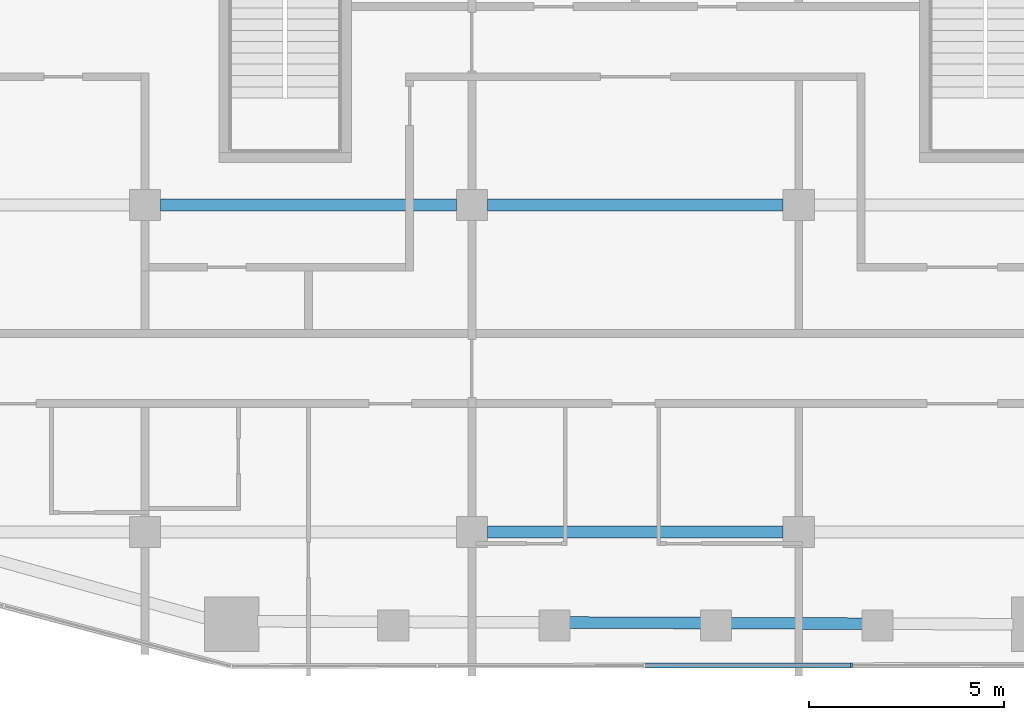
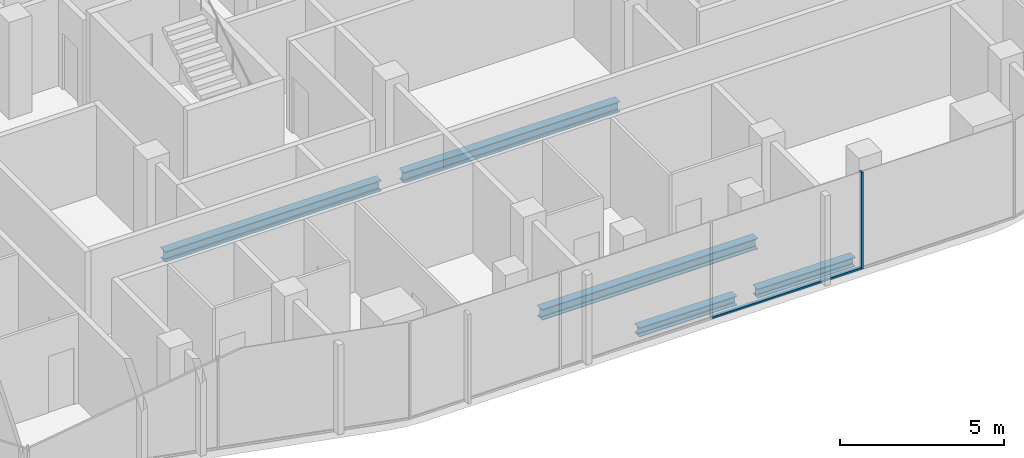
# One storey, part 3 of 21: 5 beams, 2 members, 1 element without a shape of its own.
"""IFC4 building model written with IfcOpenShell, lengths in metres."""

from ifc_helpers import new_model, si_unit, direction, frame, origin, origin_2d, place, context, subcontext, project, spatial, rectangle, i_section, extrude, material, layer, layer_set, material_profile, profile_set, type_object, element, aggregate, save


model = new_model("IFC4")

# Units and contexts
model_context = context("Model", 3, precision=1e-05, world=origin(), true_north=direction((0.0, 1.0)))
body_context = subcontext(model_context, "Body", "Model", "MODEL_VIEW")
ifc_project = project(units=[si_unit("LENGTHUNIT", "METRE"), si_unit("AREAUNIT", "SQUARE_METRE"), si_unit("VOLUMEUNIT", "CUBIC_METRE"), si_unit("PLANEANGLEUNIT", "RADIAN"), si_unit("MASSUNIT", "GRAM", prefix="KILO")], contexts=[model_context])

# Site, building, storey
site_placement = place(None, origin())
site = spatial("IfcSite", under=ifc_project, at=site_placement, CompositionType="ELEMENT")
building_placement = place(site_placement, origin())
building = spatial("IfcBuilding", under=site, at=building_placement, Name="Marenta Gate Hotel Tower", CompositionType="ELEMENT")
storey_placement = place(building_placement, frame((0.0, 0.0, 245.300048828125)))
storey = spatial("IfcBuildingStorey", under=building, at=storey_placement, Name="L58", CompositionType="ELEMENT", Elevation=245.300048828125)

# Beams
ifc_material_1 = material(Name="Steel S355", Category="steel")
ifc_material_profile_1 = material_profile(ifc_material_1, i_section(OverallWidth=0.300048828125, OverallDepth=0.340087890625, WebThickness=0.011962890625, FlangeThickness=0.021484375, FilletRadius=0.027099609375, at=origin_2d()), Name="HEB 340")
ifc_profile_set_1 = profile_set([ifc_material_profile_1], Name="Steel S355")
beam_type_1 = type_object("IfcBeamType", Name="Edge beam HEB 340", PredefinedType="SPANDREL", material=ifc_profile_set_1)
for number, where, z_axis, x_axis, name in (
    (1, (5.860107421875, -27.555419921875, -0.429931640625), (-0.999992599416, 0.003847221457, 0.0), (-0.003847221457, -0.999992599416, 0.0), "L58-EB-33"),
    (2, (1.71337890625, -27.539306640625, -0.429931640625), (-0.999992599416, 0.003847221457, 0.0), (-0.003847221457, -0.999992599416, 0.0), "L58-EB-34"),
):
    element("IfcBeam", number, at=place(storey_placement, frame(where, z_axis=z_axis, x_axis=x_axis)), inside=storey, type_object=beam_type_1, Name=name, PredefinedType="SPANDREL", context=body_context, shape_type="SweptSolid", body=[
        extrude(i_section(OverallWidth=0.300048828125, OverallDepth=0.340087890625, WebThickness=0.011962890625, FlangeThickness=0.021484375, FilletRadius=0.027099609375, at=origin_2d()), origin(), (0.0, 0.0, 1.0), 3.4267578125),
    ])
ifc_material_2 = material(Name="Steel S355", Category="steel")
ifc_material_profile_2 = material_profile(ifc_material_2, i_section(OverallWidth=0.300048828125, OverallDepth=0.39990234375, WebThickness=0.013427734375, FlangeThickness=0.02392578125, FilletRadius=0.027099609375, at=origin_2d()), Name="HEB 400")
ifc_profile_set_2 = profile_set([ifc_material_profile_2], Name="Steel S355")
beam_type_2 = type_object("IfcBeamType", Name="Girder HEB 400", PredefinedType="BEAM", material=ifc_profile_set_2)
beam_1_placement = place(storey_placement, frame((-3.800048828125, -25.199951171875, -0.4599609375), z_axis=(1.0, 0.0, 0.0), x_axis=(0.0, 1.0, 0.0)))
element("IfcBeam", 3, at=beam_1_placement, inside=storey, type_object=beam_type_2, Name="L58-GD-3", PredefinedType="BEAM", context=body_context, shape_type="SweptSolid", body=[
    extrude(i_section(OverallWidth=0.300048828125, OverallDepth=0.39990234375, WebThickness=0.013427734375, FlangeThickness=0.02392578125, FilletRadius=0.027099609375, at=origin_2d()), origin(), (0.0, 0.0, 1.0), 7.60009765625),
])
beam_2_placement = place(storey_placement, frame((-12.199951171875, -16.800048828125, -0.4599609375), z_axis=(1.0, 0.0, 0.0), x_axis=(0.0, 1.0, 0.0)))
element("IfcBeam", 4, at=beam_2_placement, inside=storey, type_object=beam_type_2, Name="L58-GD-8", PredefinedType="BEAM", context=body_context, shape_type="SweptSolid", body=[
    extrude(i_section(OverallWidth=0.300048828125, OverallDepth=0.39990234375, WebThickness=0.013427734375, FlangeThickness=0.02392578125, FilletRadius=0.027099609375, at=origin_2d()), origin(), (0.0, 0.0, 1.0), 7.599853515625),
])
beam_3_placement = place(storey_placement, frame((-3.800048828125, -16.800048828125, -0.4599609375), z_axis=(1.0, 0.0, 0.0), x_axis=(0.0, 1.0, 0.0)))
element("IfcBeam", 5, at=beam_3_placement, inside=storey, type_object=beam_type_2, Name="L58-GD-9", PredefinedType="BEAM", context=body_context, shape_type="SweptSolid", body=[
    extrude(i_section(OverallWidth=0.300048828125, OverallDepth=0.39990234375, WebThickness=0.013427734375, FlangeThickness=0.02392578125, FilletRadius=0.027099609375, at=origin_2d()), origin(), (0.0, 0.0, 1.0), 7.60009765625),
])

# Curtain wall, members
ifc_material_3 = material(Name="Tinted insulated glass in bronze anodised frame", Category="glass")
ifc_layer = layer(ifc_material_3, 0.1201171875)
ifc_layer_set = layer_set([ifc_layer], Name="Tinted insulated glass in bronze anodised frame")
curtain_wall_type = type_object("IfcCurtainWallType", Name="Tower unitised curtain wall CW1", PredefinedType="NOTDEFINED", material=ifc_layer_set)
curtain_wall_placement = place(storey_placement, origin())
curtain_wall = element("IfcCurtainWall", 6, at=curtain_wall_placement, inside=storey, type_object=curtain_wall_type, Name="CW1 run G07", PredefinedType="NOTDEFINED")
ifc_material_4 = material(Name="Bronze anodised aluminium", Category="aluminium")
ifc_material_profile_3 = material_profile(ifc_material_4, rectangle(XDim=0.1201171875, YDim=0.06005859375, at=origin_2d()), Name="Mullion CW1 60x120 bronze anodised aluminium")
ifc_profile_set_3 = profile_set([ifc_material_profile_3], Name="Bronze anodised aluminium")
member_type_1 = type_object("IfcMemberType", Name="Mullion CW1 60x120 bronze anodised aluminium", PredefinedType="MULLION", material=ifc_profile_set_3)
member_1_placement = place(storey_placement, frame((5.5537109375, -28.621337890625, 0.0), z_axis=(0.0, 0.0, 1.0), x_axis=(-0.001644757804, 0.999998647385, 0.0)))
member_1 = element("IfcMember", 7, at=member_1_placement, type_object=member_type_1, Name="CW1 mullion 4", PredefinedType="MULLION", context=body_context, shape_type="SweptSolid", body=[
    extrude(rectangle(XDim=0.1201171875, YDim=0.06005859375, at=origin_2d()), origin(), (0.0, 0.0, 1.0), 3.599853515625),
])
ifc_material_5 = material(Name="Bronze anodised aluminium", Category="aluminium")
ifc_material_profile_4 = material_profile(ifc_material_5, rectangle(XDim=0.1201171875, YDim=0.06005859375, at=origin_2d()), Name="Transom CW1 60x120 bronze anodised aluminium")
ifc_profile_set_4 = profile_set([ifc_material_profile_4], Name="Bronze anodised aluminium")
member_type_2 = type_object("IfcMemberType", Name="Transom CW1 60x120 bronze anodised aluminium", PredefinedType="USERDEFINED", material=ifc_profile_set_4)
member_2_placement = place(storey_placement, frame((0.263916015625, -28.6298828125, 0.030029296875), z_axis=(0.999998680369, 0.001624580106, 0.0), x_axis=(-0.001624580106, 0.999998680369, 0.0)))
member_2 = element("IfcMember", 8, at=member_2_placement, type_object=member_type_2, Name="CW1 transom 3.1", ObjectType="TRANSOM", PredefinedType="USERDEFINED", context=body_context, shape_type="SweptSolid", body=[
    extrude(rectangle(XDim=0.1201171875, YDim=0.06005859375, at=origin_2d()), origin(), (0.0, 0.0, 1.0), 5.259765625),
])
aggregate(curtain_wall, [member_1, member_2])

save(model, "model.ifc")
